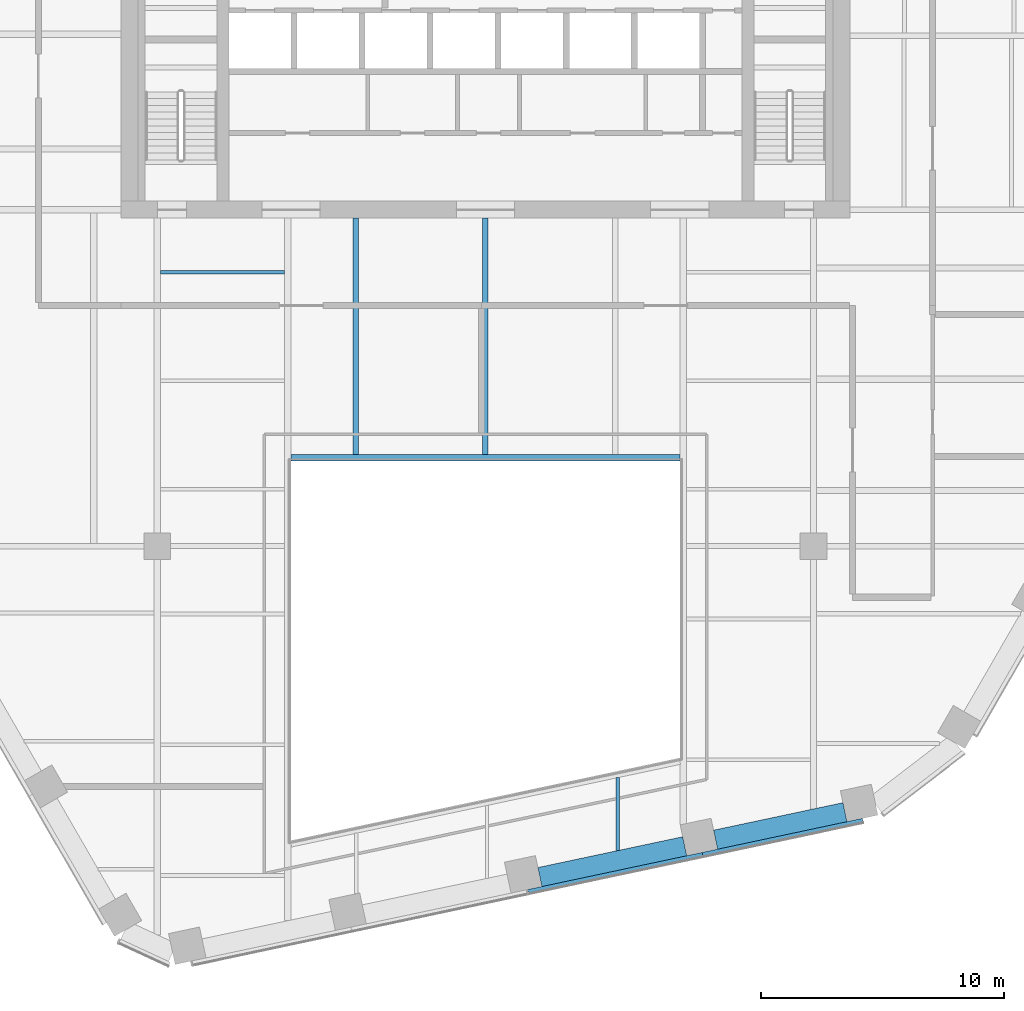
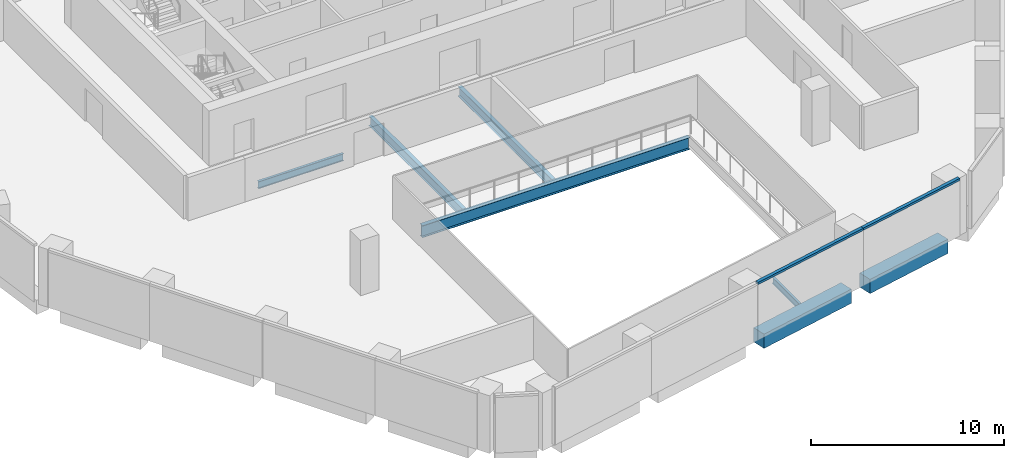
# One storey, part 4 of 16: 7 beams, 2 members, 1 element without a shape of its own.
"""IFC4 building model written with IfcOpenShell, lengths in metres."""

from ifc_helpers import new_model, si_unit, direction, frame, origin, origin_2d, place, context, subcontext, project, spatial, rectangle, i_section, extrude, material, layer, layer_set, material_profile, profile_set, type_object, element, aggregate, save


model = new_model("IFC4")

# Units and contexts
model_context = context("Model", 3, precision=1e-05, world=origin(), true_north=direction((0.0, 1.0)))
body_context = subcontext(model_context, "Body", "Model", "MODEL_VIEW")
ifc_project = project(units=[si_unit("LENGTHUNIT", "METRE"), si_unit("AREAUNIT", "SQUARE_METRE"), si_unit("VOLUMEUNIT", "CUBIC_METRE"), si_unit("PLANEANGLEUNIT", "RADIAN"), si_unit("MASSUNIT", "GRAM", prefix="KILO")], contexts=[model_context])

# Site, building, storey
site_placement = place(None, origin())
site = spatial("IfcSite", under=ifc_project, at=site_placement, CompositionType="ELEMENT")
building_placement = place(site_placement, origin())
building = spatial("IfcBuilding", under=site, at=building_placement, Name="Isthmus Gate Tower", CompositionType="ELEMENT")
storey_placement = place(building_placement, frame((0.0, 0.0, 192.699951171875)))
storey = spatial("IfcBuildingStorey", under=building, at=storey_placement, Name="L48", CompositionType="ELEMENT", Elevation=192.699951171875)

# Curtain wall, members
ifc_material_1 = material(Name="Aluminium, pale champagne anodised", Category="aluminium")
ifc_layer = layer(ifc_material_1, 0.199951171875)
ifc_layer_set = layer_set([ifc_layer], Name="CW-1 UNITISED CURTAIN WALL 200 DEEP")
curtain_wall_type = type_object("IfcCurtainWallType", Name="CW-1 UNITISED CURTAIN WALL 200 DEEP", PredefinedType="NOTDEFINED", material=ifc_layer_set)
curtain_wall_placement = place(storey_placement, origin())
curtain_wall = element("IfcCurtainWall", 1, at=curtain_wall_placement, inside=storey, type_object=curtain_wall_type, Name="CW-1 S L48", PredefinedType="NOTDEFINED")
ifc_material_2 = material(Name="Aluminium, pale champagne anodised", Category="aluminium")
ifc_material_profile_1 = material_profile(ifc_material_2, rectangle(XDim=0.199951171875, YDim=0.139892578125, at=origin_2d()), Name="200x140")
ifc_profile_set_1 = profile_set([ifc_material_profile_1], Name="Aluminium, pale champagne anodised")
member_type = type_object("IfcMemberType", Name="CW-1 TRANSOM 200 X 140", PredefinedType="USERDEFINED", material=ifc_profile_set_1)
member_1_placement = place(storey_placement, frame((1.76953125, -27.72607421875, 3.580078125), z_axis=(0.978146152746, 0.207918502948, 0.0), x_axis=(-0.207918502948, 0.978146152746, 0.0)))
member_1 = element("IfcMember", 2, at=member_1_placement, type_object=member_type, Name="CW-1 transom", ObjectType="TRANSOM", PredefinedType="USERDEFINED", context=body_context, shape_type="SweptSolid", body=[
    extrude(rectangle(XDim=0.199951171875, YDim=0.139892578125, at=origin_2d()), origin(), (0.0, 0.0, 1.0), 7.33056640625),
])
member_2_placement = place(storey_placement, frame((8.93994140625, -26.201904296875, 3.580078125), z_axis=(0.978151394347, 0.207893842469, 0.0), x_axis=(-0.207893842469, 0.978151394347, 0.0)))
member_2 = element("IfcMember", 3, at=member_2_placement, type_object=member_type, Name="CW-1 transom", ObjectType="TRANSOM", PredefinedType="USERDEFINED", context=body_context, shape_type="SweptSolid", body=[
    extrude(rectangle(XDim=0.199951171875, YDim=0.139892578125, at=origin_2d()), origin(), (0.0, 0.0, 1.0), 6.74072265625),
])
aggregate(curtain_wall, [member_1, member_2])

# Beams
ifc_material_3 = material(Name="Concrete f'c 60 MPa", Category="concrete")
ifc_material_profile_2 = material_profile(ifc_material_3, rectangle(XDim=0.800048828125, YDim=0.89990234375, at=origin_2d()), Name="RC 800X900")
ifc_profile_set_2 = profile_set([ifc_material_profile_2], Name="Concrete f'c 60 MPa")
beam_type_1 = type_object("IfcBeamType", Name="RC SPANDREL 800 X 900", PredefinedType="SPANDREL", material=ifc_profile_set_2)
beam_1_placement = place(storey_placement, frame((14.793701171875, -24.446533203125, -0.449951171875), z_axis=(-0.978150410773, -0.207898470186, 0.0), x_axis=(0.207898470186, -0.978150410773, 0.0)))
element("IfcBeam", 4, at=beam_1_placement, inside=storey, type_object=beam_type_1, Name="str-spandrel-L48-11", PredefinedType="SPANDREL", context=body_context, shape_type="SweptSolid", body=[
    extrude(rectangle(XDim=0.800048828125, YDim=0.89990234375, at=origin_2d()), origin(), (0.0, 0.0, 1.0), 5.440673828125),
])
beam_2_placement = place(storey_placement, frame((8.2001953125, -25.84814453125, -0.449951171875), z_axis=(-0.978146012851, -0.207919161079, 0.0), x_axis=(0.207919161079, -0.978146012851, 0.0)))
element("IfcBeam", 5, at=beam_2_placement, inside=storey, type_object=beam_type_1, Name="str-spandrel-L48-12", PredefinedType="SPANDREL", context=body_context, shape_type="SweptSolid", body=[
    extrude(rectangle(XDim=0.800048828125, YDim=0.89990234375, at=origin_2d()), origin(), (0.0, 0.0, 1.0), 6.090576171875),
])
ifc_material_4 = material(Name="Structural steel ASTM A992 Gr 50", Category="steel")
ifc_material_profile_3 = material_profile(ifc_material_4, i_section(OverallWidth=0.1396484375, OverallDepth=0.4033203125, WebThickness=0.00634765625, FlangeThickness=0.010986328125, at=origin_2d()), Name="W16X31")
ifc_profile_set_3 = profile_set([ifc_material_profile_3], Name="Structural steel ASTM A992 Gr 50")
beam_type_2 = type_object("IfcBeamType", Name="STEEL FLOOR BEAM W16X31", PredefinedType="JOIST", material=ifc_profile_set_3)
beam_3_placement = place(storey_placement, frame((5.443115234375, -26.025146484375, -0.3515625), z_axis=(0.0, 1.0, 0.0), x_axis=(-1.0, 0.0, 0.0)))
element("IfcBeam", 6, at=beam_3_placement, inside=storey, type_object=beam_type_2, Name="str-beam-L48-07-02", PredefinedType="JOIST", context=body_context, shape_type="SweptSolid", body=[
    extrude(i_section(OverallWidth=0.1396484375, OverallDepth=0.4033203125, WebThickness=0.00634765625, FlangeThickness=0.010986328125, at=origin_2d()), origin(), (0.0, 0.0, 1.0), 2.998779296875),
])
ifc_material_5 = material(Name="Structural steel ASTM A992 Gr 50", Category="steel")
ifc_material_profile_4 = material_profile(ifc_material_5, i_section(OverallWidth=0.15234375, OverallDepth=0.45068359375, WebThickness=0.0078125, FlangeThickness=0.010986328125, at=origin_2d()), Name="W18X35")
ifc_profile_set_4 = profile_set([ifc_material_profile_4], Name="Structural steel ASTM A992 Gr 50")
beam_type_3 = type_object("IfcBeamType", Name="STEEL FLOOR BEAM W18X35", PredefinedType="JOIST", material=ifc_profile_set_4)
beam_4_placement = place(storey_placement, frame((-13.3681640625, -2.232421875, -0.375244140625), z_axis=(1.0, 0.0, 0.0), x_axis=(0.0, 1.0, 0.0)))
element("IfcBeam", 7, at=beam_4_placement, inside=storey, type_object=beam_type_3, Name="str-beam-L48-04-02", PredefinedType="JOIST", context=body_context, shape_type="SweptSolid", body=[
    extrude(i_section(OverallWidth=0.15234375, OverallDepth=0.45068359375, WebThickness=0.0078125, FlangeThickness=0.010986328125, at=origin_2d()), origin(), (0.0, 0.0, 1.0), 5.1015625),
])
ifc_material_6 = material(Name="Structural steel ASTM A992 Gr 50", Category="steel")
ifc_material_profile_5 = material_profile(ifc_material_6, i_section(OverallWidth=0.228515625, OverallDepth=0.603271484375, WebThickness=0.010986328125, FlangeThickness=0.014404296875, at=origin_2d()), Name="W24X68")
ifc_profile_set_5 = profile_set([ifc_material_profile_5], Name="Structural steel ASTM A992 Gr 50")
beam_type_4 = type_object("IfcBeamType", Name="STEEL FLOOR BEAM W24X68", PredefinedType="JOIST", material=ifc_profile_set_5)
for number, where, z_axis, x_axis, name in (
    (8, (-5.333251953125, -9.7333984375, -0.45166015625), (0.0, 1.0, 0.0), (-1.0, 0.0, 0.0), "str-beam-L48-06-00"),
    (9, (0.0, -9.7333984375, -0.45166015625), (0.0, 1.0, 0.0), (-1.0, 0.0, 0.0), "str-beam-L48-06-01"),
):
    element("IfcBeam", number, at=place(storey_placement, frame(where, z_axis=z_axis, x_axis=x_axis)), inside=storey, type_object=beam_type_4, Name=name, PredefinedType="JOIST", context=body_context, shape_type="SweptSolid", body=[
        extrude(i_section(OverallWidth=0.228515625, OverallDepth=0.603271484375, WebThickness=0.010986328125, FlangeThickness=0.014404296875, at=origin_2d()), origin(), (0.0, 0.0, 1.0), 9.7333984375),
    ])
ifc_material_7 = material(Name="Structural steel ASTM A992 Gr 50", Category="steel")
ifc_material_profile_6 = material_profile(ifc_material_7, i_section(OverallWidth=0.2666015625, OverallDepth=0.7587890625, WebThickness=0.014404296875, FlangeThickness=0.01904296875, at=origin_2d()), Name="W30X108")
ifc_profile_set_6 = profile_set([ifc_material_profile_6], Name="Structural steel ASTM A992 Gr 50")
beam_type_5 = type_object("IfcBeamType", Name="STEEL TRIMMER W30X108", PredefinedType="BEAM", material=ifc_profile_set_6)
beam_5_placement = place(storey_placement, frame((8.0, -9.86669921875, -0.529296875), z_axis=(-1.0, 0.0, 0.0), x_axis=(0.0, -1.0, 0.0)))
element("IfcBeam", 10, at=beam_5_placement, inside=storey, type_object=beam_type_5, Name="str-trimmer-L48-04", PredefinedType="BEAM", context=body_context, shape_type="SweptSolid", body=[
    extrude(i_section(OverallWidth=0.2666015625, OverallDepth=0.7587890625, WebThickness=0.014404296875, FlangeThickness=0.01904296875, at=origin_2d()), origin(), (0.0, 0.0, 1.0), 16.0),
])

save(model, "model.ifc")
